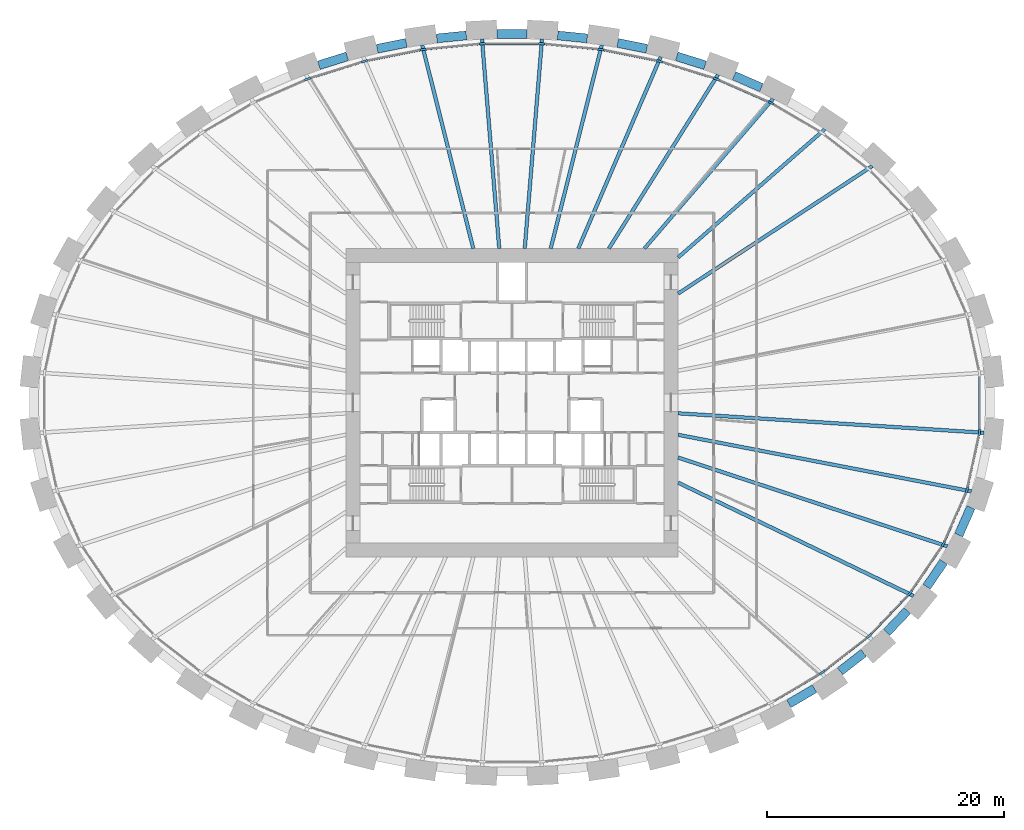
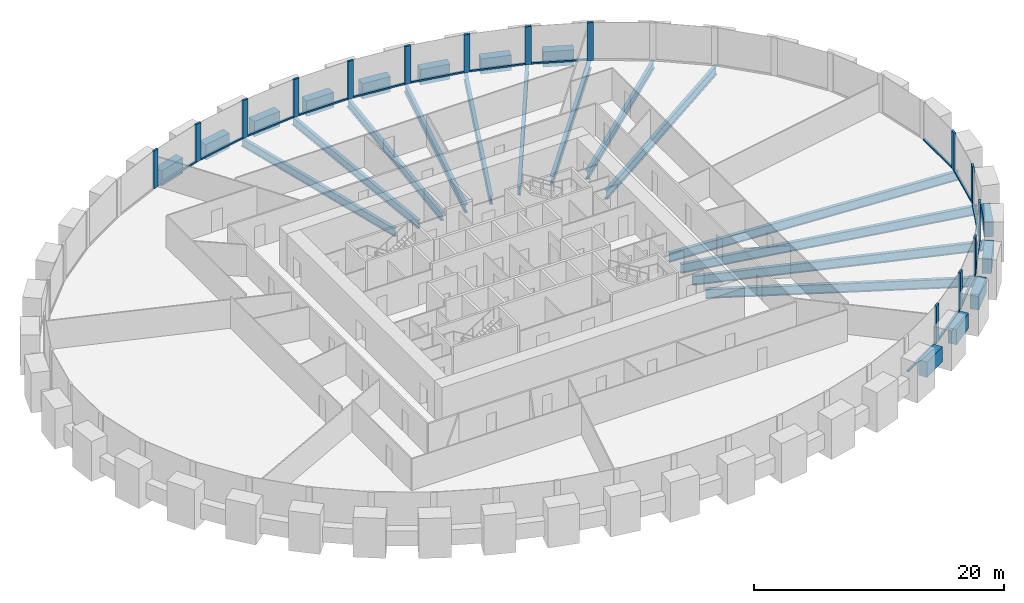
# One storey, part 3 of 11: 30 members, 26 beams, 1 element without a shape of its own.
"""IFC4 building model written with IfcOpenShell, lengths in metres."""

from ifc_helpers import new_model, si_unit, direction, frame, origin, origin_2d, place, context, subcontext, project, spatial, rectangle, i_section, extrude, source, transform, mapped, material, material_profile, profile_set, type_object, element, aggregate, save


model = new_model("IFC4")

# Units and contexts
model_context = context("Model", 3, precision=1e-05, world=origin(), true_north=direction((0.0, 1.0)))
body_context = subcontext(model_context, "Body", "Model", "MODEL_VIEW")
ifc_project = project(units=[si_unit("LENGTHUNIT", "METRE"), si_unit("AREAUNIT", "SQUARE_METRE"), si_unit("VOLUMEUNIT", "CUBIC_METRE"), si_unit("PLANEANGLEUNIT", "RADIAN"), si_unit("MASSUNIT", "GRAM", prefix="KILO")], contexts=[model_context])

# Site, building, storey
site_placement = place(None, origin())
site = spatial("IfcSite", under=ifc_project, at=site_placement, CompositionType="ELEMENT")
building_placement = place(site_placement, origin())
building = spatial("IfcBuilding", under=site, at=building_placement, Name="Embergate Tower", CompositionType="ELEMENT")
storey_placement = place(building_placement, frame((0.0, 0.0, 58.10009765625)))
storey = spatial("IfcBuildingStorey", under=building, at=storey_placement, Name="L10", CompositionType="ELEMENT", Elevation=58.10009765625)

# Beams
ifc_material_1 = material(Name="Concrete C70", Category="concrete")
ifc_material_profile_1 = material_profile(ifc_material_1, rectangle(XDim=0.75, YDim=1.5, at=origin_2d()), Name="RC 750x1500")
ifc_profile_set_1 = profile_set([ifc_material_profile_1], Name="Concrete C70")
beam_type_1 = type_object("IfcBeamType", Name="Spandrel beam RC 750x1500 C70", PredefinedType="BEAM", material=ifc_profile_set_1)
shared_shape_1 = source(origin(), body_context, "Body", "SweptSolid", [
    extrude(rectangle(XDim=0.75, YDim=1.5, at=origin_2d()), origin(), (0.0, 0.0, 1.0), 2.540771484375),
])
beam_1_placement = place(storey_placement, frame((37.64599609375, -11.14599609375, 0.0), z_axis=(0.401479097778, 0.915868185956, 0.0), x_axis=(-0.915868185956, 0.401479097778, 0.0)))
element("IfcBeam", 1, at=beam_1_placement, inside=storey, type_object=beam_type_1, Name="SPN-L10-41", PredefinedType="BEAM", context=body_context, shape_type="MappedRepresentation", body=[
    mapped(shared_shape_1, transform((0.0, 0.0, 0.0))),
])
shared_shape_2 = source(origin(), body_context, "Body", "SweptSolid", [
    extrude(rectangle(XDim=0.75, YDim=1.5, at=origin_2d()), origin(), (0.0, 0.0, 1.0), 2.5302734375),
])
beam_2_placement = place(storey_placement, frame((34.947021484375, -15.5029296875, 0.0), z_axis=(0.562447254988, 0.82683316658, 0.0), x_axis=(-0.82683316658, 0.562447254988, 0.0)))
element("IfcBeam", 2, at=beam_2_placement, inside=storey, type_object=beam_type_1, Name="SPN-L10-40", PredefinedType="BEAM", context=body_context, shape_type="MappedRepresentation", body=[
    mapped(shared_shape_2, transform((0.0, 0.0, 0.0))),
])
shared_shape_3 = source(origin(), body_context, "Body", "SweptSolid", [
    extrude(rectangle(XDim=0.75, YDim=1.5, at=origin_2d()), origin(), (0.0, 0.0, 1.0), 2.525146484375),
])
beam_3_placement = place(storey_placement, frame((31.571044921875, -19.35302734375, 0.0), z_axis=(0.689836216716, 0.723965464719, 0.0), x_axis=(-0.723965464719, 0.689836216716, 0.0)))
element("IfcBeam", 3, at=beam_3_placement, inside=storey, type_object=beam_type_1, Name="SPN-L10-39", PredefinedType="BEAM", context=body_context, shape_type="MappedRepresentation", body=[
    mapped(shared_shape_3, transform((0.0, 0.0, 0.0))),
])
shared_shape_4 = source(origin(), body_context, "Body", "SweptSolid", [
    extrude(rectangle(XDim=0.75, YDim=1.5, at=origin_2d()), origin(), (0.0, 0.0, 1.0), 2.51708984375),
])
beam_4_placement = place(storey_placement, frame((27.64599609375, -22.632080078125, 0.0), z_axis=(0.788186103863, 0.615436971328, 0.0), x_axis=(-0.615436971328, 0.788186103863, 0.0)))
element("IfcBeam", 4, at=beam_4_placement, inside=storey, type_object=beam_type_1, Name="SPN-L10-38", PredefinedType="BEAM", context=body_context, shape_type="MappedRepresentation", body=[
    mapped(shared_shape_4, transform((0.0, 0.0, 0.0))),
])
shared_shape_5 = source(origin(), body_context, "Body", "SweptSolid", [
    extrude(rectangle(XDim=0.75, YDim=1.5, at=origin_2d()), origin(), (0.0, 0.0, 1.0), 2.512451171875),
])
beam_5_placement = place(storey_placement, frame((23.330078125, -25.366943359375, 0.0), z_axis=(0.862138987282, 0.506671852986, 0.0), x_axis=(-0.506671852986, 0.862138987282, 0.0)))
element("IfcBeam", 5, at=beam_5_placement, inside=storey, type_object=beam_type_1, Name="SPN-L10-37", PredefinedType="BEAM", context=body_context, shape_type="MappedRepresentation", body=[
    mapped(shared_shape_5, transform((0.0, 0.0, 0.0))),
])
shared_shape_6 = source(origin(), body_context, "Body", "SweptSolid", [
    extrude(rectangle(XDim=0.75, YDim=1.5, at=origin_2d()), origin(), (0.0, 0.0, 1.0), 2.508056640625),
])
beam_6_placement = place(storey_placement, frame((21.013916015625, 26.549072265625, 0.0), z_axis=(-0.916219880472, 0.400675842331, 0.0), x_axis=(-0.400675842331, -0.916219880472, 0.0)))
element("IfcBeam", 6, at=beam_6_placement, inside=storey, type_object=beam_type_1, Name="SPN-L10-06", PredefinedType="BEAM", context=body_context, shape_type="MappedRepresentation", body=[
    mapped(shared_shape_6, transform((0.0, 0.0, 0.0))),
])
shared_shape_7 = source(origin(), body_context, "Body", "SweptSolid", [
    extrude(rectangle(XDim=0.75, YDim=1.5, at=origin_2d()), origin(), (0.0, 0.0, 1.0), 2.505126953125),
])
for number, where, z_axis, x_axis, name in (
    (7, (16.27294921875, 28.444091796875, 0.0), (-0.95477257779, 0.297337055715, 0.0), (-0.297337055715, -0.95477257779, 0.0), "SPN-L10-07"),
    (8, (-13.881103515625, 29.18896484375, 0.0), (-0.95477257779, -0.297337055715, 0.0), (0.297337055715, -0.95477257779, 0.0), "SPN-L10-13"),
):
    element("IfcBeam", number, at=place(storey_placement, frame(where, z_axis=z_axis, x_axis=x_axis)), inside=storey, type_object=beam_type_1, Name=name, PredefinedType="BEAM", context=body_context, shape_type="MappedRepresentation", body=[
        mapped(shared_shape_7, transform((0.0, 0.0, 0.0))),
    ])
shared_shape_8 = source(origin(), body_context, "Body", "SweptSolid", [
    extrude(rectangle(XDim=0.75, YDim=1.5, at=origin_2d()), origin(), (0.0, 0.0, 1.0), 2.5029296875),
])
for number, where, z_axis, x_axis, name in (
    (9, (11.362060546875, 29.83203125, 0.0), (-0.980494293439, 0.196547552853, 0.0), (-0.196547552853, -0.980494293439, 0.0), "SPN-L10-08"),
    (10, (-8.907958984375, 30.323974609375, 0.0), (-0.980494293439, -0.196547552853, 0.0), (0.196547552853, -0.980494293439, 0.0), "SPN-L10-12"),
):
    element("IfcBeam", number, at=place(storey_placement, frame(where, z_axis=z_axis, x_axis=x_axis)), inside=storey, type_object=beam_type_1, Name=name, PredefinedType="BEAM", context=body_context, shape_type="MappedRepresentation", body=[
        mapped(shared_shape_8, transform((0.0, 0.0, 0.0))),
    ])
shared_shape_9 = source(origin(), body_context, "Body", "SweptSolid", [
    extrude(rectangle(XDim=0.75, YDim=1.5, at=origin_2d()), origin(), (0.0, 0.0, 1.0), 2.5009765625),
])
for number, where, z_axis, x_axis, name in (
    (11, (6.3369140625, 30.70703125, 0.0), (-0.995195384031, 0.097908873976, 0.0), (-0.097908873976, -0.995195384031, 0.0), "SPN-L10-09"),
    (12, (-3.847900390625, 30.951904296875, 0.0), (-0.995195384031, -0.097908873976, 0.0), (0.097908873976, -0.995195384031, 0.0), "SPN-L10-11"),
):
    element("IfcBeam", number, at=place(storey_placement, frame(where, z_axis=z_axis, x_axis=x_axis)), inside=storey, type_object=beam_type_1, Name=name, PredefinedType="BEAM", context=body_context, shape_type="MappedRepresentation", body=[
        mapped(shared_shape_9, transform((0.0, 0.0, 0.0))),
    ])
shared_shape_10 = source(origin(), body_context, "Body", "SweptSolid", [
    extrude(rectangle(XDim=0.75, YDim=1.5, at=origin_2d()), origin(), (0.0, 0.0, 1.0), 2.501953125),
])
beam_7_placement = place(storey_placement, frame((1.2509765625, 31.0791015625, 0.0), z_axis=(-1.0, 0.0, 0.0), x_axis=(0.0, -1.0, 0.0)))
element("IfcBeam", 13, at=beam_7_placement, inside=storey, type_object=beam_type_1, Name="SPN-L10-10", PredefinedType="BEAM", context=body_context, shape_type="MappedRepresentation", body=[
    mapped(shared_shape_10, transform((0.0, 0.0, 0.0))),
])
ifc_material_2 = material(Name="Steel Q355B", Category="steel")
ifc_material_profile_2 = material_profile(ifc_material_2, i_section(OverallWidth=0.300048828125, OverallDepth=0.89990234375, WebThickness=0.01611328125, FlangeThickness=0.028076171875, FilletRadius=0.028076171875, at=origin_2d()), Name="HN 900x300x16x28")
ifc_profile_set_2 = profile_set([ifc_material_profile_2], Name="Steel Q355 grade B")
beam_type_2 = type_object("IfcBeamType", Name="Radial girder HN 900x300x16x28", PredefinedType="BEAM", material=ifc_profile_set_2)
shared_shape_11 = source(origin(), body_context, "Body", "SweptSolid", [
    extrude(i_section(OverallWidth=0.300048828125, OverallDepth=0.89990234375, WebThickness=0.01611328125, FlangeThickness=0.028076171875, FilletRadius=0.028076171875, at=origin_2d()), origin(), (0.0, 0.0, 1.0), 25.8330078125),
])
beam_8_placement = place(storey_placement, frame((39.781005859375, -2.527099609375, -0.650146484375), z_axis=(-0.997987282957, 0.063414375786, 0.0), x_axis=(-0.063414375786, -0.997987282957, 0.0)))
element("IfcBeam", 14, at=beam_8_placement, inside=storey, type_object=beam_type_2, Name="GIR-L10-43", PredefinedType="BEAM", context=body_context, shape_type="MappedRepresentation", body=[
    mapped(shared_shape_11, transform((0.0, 0.0, 0.0))),
])
shared_shape_12 = source(origin(), body_context, "Body", "SweptSolid", [
    extrude(i_section(OverallWidth=0.300048828125, OverallDepth=0.89990234375, WebThickness=0.01611328125, FlangeThickness=0.028076171875, FilletRadius=0.028076171875, at=origin_2d()), origin(), (0.0, 0.0, 1.0), 25.173583984375),
])
beam_9_placement = place(storey_placement, frame((38.718017578125, -7.468994140625, -0.650146484375), z_axis=(-0.981898721565, 0.189406706822, 0.0), x_axis=(-0.189406706822, -0.981898721565, 0.0)))
element("IfcBeam", 15, at=beam_9_placement, inside=storey, type_object=beam_type_2, Name="GIR-L10-42", PredefinedType="BEAM", context=body_context, shape_type="MappedRepresentation", body=[
    mapped(shared_shape_12, transform((0.0, 0.0, 0.0))),
])
shared_shape_13 = source(origin(), body_context, "Body", "SweptSolid", [
    extrude(i_section(OverallWidth=0.300048828125, OverallDepth=0.89990234375, WebThickness=0.01611328125, FlangeThickness=0.028076171875, FilletRadius=0.028076171875, at=origin_2d()), origin(), (0.0, 0.0, 1.0), 23.889404296875),
])
beam_10_placement = place(storey_placement, frame((36.68701171875, -12.10009765625, -0.650146484375), z_axis=(-0.949672981662, 0.313243081171, 0.0), x_axis=(-0.313243081171, -0.949672981662, 0.0)))
element("IfcBeam", 16, at=beam_10_placement, inside=storey, type_object=beam_type_2, Name="GIR-L10-41", PredefinedType="BEAM", context=body_context, shape_type="MappedRepresentation", body=[
    mapped(shared_shape_13, transform((0.0, 0.0, 0.0))),
])
shared_shape_14 = source(origin(), body_context, "Body", "SweptSolid", [
    extrude(i_section(OverallWidth=0.300048828125, OverallDepth=0.89990234375, WebThickness=0.01611328125, FlangeThickness=0.028076171875, FilletRadius=0.028076171875, at=origin_2d()), origin(), (0.0, 0.0, 1.0), 22.020751953125),
])
beam_11_placement = place(storey_placement, frame((33.843994140625, -16.281005859375, -0.650146484375), z_axis=(-0.90115457104, 0.433497911291, 0.0), x_axis=(-0.433497911291, -0.90115457104, 0.0)))
element("IfcBeam", 17, at=beam_11_placement, inside=storey, type_object=beam_type_2, Name="GIR-L10-40", PredefinedType="BEAM", context=body_context, shape_type="MappedRepresentation", body=[
    mapped(shared_shape_14, transform((0.0, 0.0, 0.0))),
])
shared_shape_15 = source(origin(), body_context, "Body", "SweptSolid", [
    extrude(i_section(OverallWidth=0.300048828125, OverallDepth=0.89990234375, WebThickness=0.01611328125, FlangeThickness=0.028076171875, FilletRadius=0.028076171875, at=origin_2d()), origin(), (0.0, 0.0, 1.0), 19.56591796875),
])
beam_12_placement = place(storey_placement, frame((30.35205078125, 19.94189453125, -0.650146484375), z_axis=(-0.835746219167, -0.549115886812, 0.0), x_axis=(0.549115886812, -0.835746219167, 0.0)))
element("IfcBeam", 18, at=beam_12_placement, inside=storey, type_object=beam_type_2, Name="GIR-L10-04", PredefinedType="BEAM", context=body_context, shape_type="MappedRepresentation", body=[
    mapped(shared_shape_15, transform((0.0, 0.0, 0.0))),
])
ifc_material_profile_3 = material_profile(ifc_material_2, i_section(OverallWidth=0.300048828125, OverallDepth=0.800048828125, WebThickness=0.013916015625, FlangeThickness=0.02587890625, FilletRadius=0.028076171875, at=origin_2d()), Name="HN 800x300x14x26")
ifc_profile_set_3 = profile_set([ifc_material_profile_3], Name="Steel Q355 grade B")
beam_type_3 = type_object("IfcBeamType", Name="Radial girder HN 800x300x14x26", PredefinedType="BEAM", material=ifc_profile_set_3)
shared_shape_16 = source(origin(), body_context, "Body", "SweptSolid", [
    extrude(i_section(OverallWidth=0.300048828125, OverallDepth=0.800048828125, WebThickness=0.013916015625, FlangeThickness=0.02587890625, FilletRadius=0.028076171875, at=origin_2d()), origin(), (0.0, 0.0, 1.0), 16.424560546875),
])
beam_13_placement = place(storey_placement, frame((26.364013671875, 23.055908203125, -0.60009765625), z_axis=(-0.752772791173, -0.658280430265, 0.0), x_axis=(0.658280430265, -0.752772791173, 0.0)))
element("IfcBeam", 19, at=beam_13_placement, inside=storey, type_object=beam_type_3, Name="GIR-L10-05", PredefinedType="BEAM", context=body_context, shape_type="MappedRepresentation", body=[
    mapped(shared_shape_16, transform((0.0, 0.0, 0.0))),
])
shared_shape_17 = source(origin(), body_context, "Body", "SweptSolid", [
    extrude(i_section(OverallWidth=0.300048828125, OverallDepth=0.800048828125, WebThickness=0.013916015625, FlangeThickness=0.02587890625, FilletRadius=0.028076171875, at=origin_2d()), origin(), (0.0, 0.0, 1.0), 16.6357421875),
])
beam_14_placement = place(storey_placement, frame((22.0009765625, 25.62109375, -0.60009765625), z_axis=(-0.651477578484, -0.758667888297, 0.0), x_axis=(0.758667888297, -0.651477578484, 0.0)))
element("IfcBeam", 20, at=beam_14_placement, inside=storey, type_object=beam_type_3, Name="GIR-L10-06", PredefinedType="BEAM", context=body_context, shape_type="MappedRepresentation", body=[
    mapped(shared_shape_17, transform((0.0, 0.0, 0.0))),
])
shared_shape_18 = source(origin(), body_context, "Body", "SweptSolid", [
    extrude(i_section(OverallWidth=0.300048828125, OverallDepth=0.800048828125, WebThickness=0.013916015625, FlangeThickness=0.02587890625, FilletRadius=0.028076171875, at=origin_2d()), origin(), (0.0, 0.0, 1.0), 17.29833984375),
])
beam_15_placement = place(storey_placement, frame((17.364013671875, 27.64892578125, -0.60009765625), z_axis=(-0.53184228431, -0.84684342391, 0.0), x_axis=(0.84684342391, -0.53184228431, 0.0)))
element("IfcBeam", 21, at=beam_15_placement, inside=storey, type_object=beam_type_3, Name="GIR-L10-07", PredefinedType="BEAM", context=body_context, shape_type="MappedRepresentation", body=[
    mapped(shared_shape_18, transform((0.0, 0.0, 0.0))),
])
shared_shape_19 = source(origin(), body_context, "Body", "SweptSolid", [
    extrude(i_section(OverallWidth=0.300048828125, OverallDepth=0.800048828125, WebThickness=0.013916015625, FlangeThickness=0.02587890625, FilletRadius=0.028076171875, at=origin_2d()), origin(), (0.0, 0.0, 1.0), 17.5830078125),
])
beam_16_placement = place(storey_placement, frame((12.531005859375, 29.154052734375, -0.60009765625), z_axis=(-0.394877633305, -0.91873372351, 0.0), x_axis=(0.91873372351, -0.394877633305, 0.0)))
element("IfcBeam", 22, at=beam_16_placement, inside=storey, type_object=beam_type_3, Name="GIR-L10-08", PredefinedType="BEAM", context=body_context, shape_type="MappedRepresentation", body=[
    mapped(shared_shape_19, transform((0.0, 0.0, 0.0))),
])
shared_shape_20 = source(origin(), body_context, "Body", "SweptSolid", [
    extrude(i_section(OverallWidth=0.300048828125, OverallDepth=0.800048828125, WebThickness=0.013916015625, FlangeThickness=0.02587890625, FilletRadius=0.028076171875, at=origin_2d()), origin(), (0.0, 0.0, 1.0), 17.68115234375),
])
for number, where, z_axis, x_axis, name in (
    (23, (7.568115234375, 30.14892578125, -0.60009765625), (-0.243490697854, -0.969903232317, 0.0), (0.969903232317, -0.243490697854, 0.0), "GIR-L10-09"),
    (24, (-7.568115234375, 30.14892578125, -0.60009765625), (0.243490697854, -0.969903232317, 0.0), (0.969903232317, 0.243490697854, 0.0), "GIR-L10-12"),
):
    element("IfcBeam", number, at=place(storey_placement, frame(where, z_axis=z_axis, x_axis=x_axis)), inside=storey, type_object=beam_type_3, Name=name, PredefinedType="BEAM", context=body_context, shape_type="MappedRepresentation", body=[
        mapped(shared_shape_20, transform((0.0, 0.0, 0.0))),
    ])
shared_shape_21 = source(origin(), body_context, "Body", "SweptSolid", [
    extrude(i_section(OverallWidth=0.300048828125, OverallDepth=0.800048828125, WebThickness=0.013916015625, FlangeThickness=0.02587890625, FilletRadius=0.028076171875, at=origin_2d()), origin(), (0.0, 0.0, 1.0), 17.7041015625),
])
for number, where, z_axis, x_axis, name in (
    (25, (2.531005859375, 30.64404296875, -0.60009765625), (-0.082299081422, -0.99660767667, 0.0), (0.99660767667, -0.082299081422, 0.0), "GIR-L10-10"),
    (26, (-2.531005859375, 30.64404296875, -0.60009765625), (0.082299081422, -0.99660767667, 0.0), (0.99660767667, 0.082299081422, 0.0), "GIR-L10-11"),
):
    element("IfcBeam", number, at=place(storey_placement, frame(where, z_axis=z_axis, x_axis=x_axis)), inside=storey, type_object=beam_type_3, Name=name, PredefinedType="BEAM", context=body_context, shape_type="MappedRepresentation", body=[
        mapped(shared_shape_21, transform((0.0, 0.0, 0.0))),
    ])

# Curtain wall, members
ifc_material_3 = material(Name="Aluminium and glass", Category="aluminium")
curtain_wall_type = type_object("IfcCurtainWallType", Name="Recessed office glazing", PredefinedType="NOTDEFINED", material=ifc_material_3)
curtain_wall_placement = place(storey_placement, origin())
curtain_wall = element("IfcCurtainWall", 27, at=curtain_wall_placement, inside=storey, type_object=curtain_wall_type, Name="Recessed office glazing ring", ObjectType="RECESSED OFFICE GLAZING", PredefinedType="USERDEFINED")
ifc_material_4 = material(Name="Aluminium, thermally broken", Category="aluminium")
ifc_material_profile_4 = material_profile(ifc_material_4, rectangle(XDim=0.179931640625, YDim=0.52001953125, at=origin_2d()), Name="AL 520x180")
ifc_profile_set_4 = profile_set([ifc_material_profile_4], Name="Aluminium, thermally broken")
member_type_1 = type_object("IfcMemberType", Name="Office mullion", PredefinedType="MULLION", material=ifc_profile_set_4)
shared_shape_22 = source(origin(), body_context, "Body", "SweptSolid", [
    extrude(rectangle(XDim=0.179931640625, YDim=0.52001953125, at=origin_2d()), origin(), (0.0, 0.0, 1.0), 3.699951171875),
])
member_1_placement = place(storey_placement, frame((21.824462890625, 25.273193359375, 0.0), z_axis=(0.0, 0.0, 1.0), x_axis=(-0.454520708319, -0.890736170653, 0.0)))
member_1 = element("IfcMember", 28, at=member_1_placement, type_object=member_type_1, Name="CW mullion 7", PredefinedType="MULLION", context=body_context, shape_type="MappedRepresentation", body=[
    mapped(shared_shape_22, transform((0.0, 0.0, 0.0))),
])
member_2_placement = place(storey_placement, frame((17.22802734375, 27.282958984375, 0.0), z_axis=(0.0, 0.0, 1.0), x_axis=(-0.349510859141, -0.936932313106, 0.0)))
member_2 = element("IfcMember", 29, at=member_2_placement, type_object=member_type_1, Name="CW mullion 8", PredefinedType="MULLION", context=body_context, shape_type="MappedRepresentation", body=[
    mapped(shared_shape_22, transform((0.0, 0.0, 0.0))),
])
member_3_placement = place(storey_placement, frame((12.435302734375, 28.775634765625, 0.0), z_axis=(0.0, 0.0, 1.0), x_axis=(-0.247318645812, -0.968934201808, 0.0)))
member_3 = element("IfcMember", 30, at=member_3_placement, type_object=member_type_1, Name="CW mullion 9", PredefinedType="MULLION", context=body_context, shape_type="MappedRepresentation", body=[
    mapped(shared_shape_22, transform((0.0, 0.0, 0.0))),
])
member_4_placement = place(storey_placement, frame((7.51123046875, 29.76318359375, 0.0), z_axis=(0.0, 0.0, 1.0), x_axis=(-0.147415835341, -0.989074603602, 0.0)))
member_4 = element("IfcMember", 31, at=member_4_placement, type_object=member_type_1, Name="CW mullion 10", PredefinedType="MULLION", context=body_context, shape_type="MappedRepresentation", body=[
    mapped(shared_shape_22, transform((0.0, 0.0, 0.0))),
])
member_5_placement = place(storey_placement, frame((2.511962890625, 30.254638671875, 0.0), z_axis=(0.0, 0.0, 1.0), x_axis=(-0.048971796621, -0.998800161762, 0.0)))
member_5 = element("IfcMember", 32, at=member_5_placement, type_object=member_type_1, Name="CW mullion 11", PredefinedType="MULLION", context=body_context, shape_type="MappedRepresentation", body=[
    mapped(shared_shape_22, transform((0.0, 0.0, 0.0))),
])
member_6_placement = place(storey_placement, frame((-2.511962890625, 30.254638671875, 0.0), z_axis=(0.0, 0.0, 1.0), x_axis=(0.048971796621, -0.998800161762, 0.0)))
member_6 = element("IfcMember", 33, at=member_6_placement, type_object=member_type_1, Name="CW mullion 12", PredefinedType="MULLION", context=body_context, shape_type="MappedRepresentation", body=[
    mapped(shared_shape_22, transform((0.0, 0.0, 0.0))),
])
member_7_placement = place(storey_placement, frame((-7.51123046875, 29.76318359375, 0.0), z_axis=(0.0, 0.0, 1.0), x_axis=(0.147415835341, -0.989074603602, 0.0)))
member_7 = element("IfcMember", 34, at=member_7_placement, type_object=member_type_1, Name="CW mullion 13", PredefinedType="MULLION", context=body_context, shape_type="MappedRepresentation", body=[
    mapped(shared_shape_22, transform((0.0, 0.0, 0.0))),
])
member_8_placement = place(storey_placement, frame((-12.435302734375, 28.775634765625, 0.0), z_axis=(0.0, 0.0, 1.0), x_axis=(0.247318645812, -0.968934201808, 0.0)))
member_8 = element("IfcMember", 35, at=member_8_placement, type_object=member_type_1, Name="CW mullion 14", PredefinedType="MULLION", context=body_context, shape_type="MappedRepresentation", body=[
    mapped(shared_shape_22, transform((0.0, 0.0, 0.0))),
])
member_9_placement = place(storey_placement, frame((-17.22802734375, 27.282958984375, 0.0), z_axis=(0.0, 0.0, 1.0), x_axis=(0.349510859141, -0.936932313106, 0.0)))
member_9 = element("IfcMember", 36, at=member_9_placement, type_object=member_type_1, Name="CW mullion 15", PredefinedType="MULLION", context=body_context, shape_type="MappedRepresentation", body=[
    mapped(shared_shape_22, transform((0.0, 0.0, 0.0))),
])
member_10_placement = place(storey_placement, frame((26.14501953125, -22.73291015625, 0.0), z_axis=(0.0, 0.0, 1.0), x_axis=(-0.562229165438, 0.826981478348, 0.0)))
member_10 = element("IfcMember", 37, at=member_10_placement, type_object=member_type_1, Name="CW mullion 39", PredefinedType="MULLION", context=body_context, shape_type="MappedRepresentation", body=[
    mapped(shared_shape_22, transform((0.0, 0.0, 0.0))),
])
member_11_placement = place(storey_placement, frame((30.09130859375, -19.65283203125, 0.0), z_axis=(0.0, 0.0, 1.0), x_axis=(-0.671239471147, 0.741240563093, 0.0)))
member_11 = element("IfcMember", 38, at=member_11_placement, type_object=member_type_1, Name="CW mullion 40", PredefinedType="MULLION", context=body_context, shape_type="MappedRepresentation", body=[
    mapped(shared_shape_22, transform((0.0, 0.0, 0.0))),
])
member_12_placement = place(storey_placement, frame((33.541015625, -16.035400390625, 0.0), z_axis=(0.0, 0.0, 1.0), x_axis=(-0.777883532271, 0.628408474022, 0.0)))
member_12 = element("IfcMember", 39, at=member_12_placement, type_object=member_type_1, Name="CW mullion 41", PredefinedType="MULLION", context=body_context, shape_type="MappedRepresentation", body=[
    mapped(shared_shape_22, transform((0.0, 0.0, 0.0))),
])
member_13_placement = place(storey_placement, frame((36.3466796875, -11.909423828125, 0.0), z_axis=(0.0, 0.0, 1.0), x_axis=(-0.875010345178, 0.48410422001, 0.0)))
member_13 = element("IfcMember", 40, at=member_13_placement, type_object=member_type_1, Name="CW mullion 42", PredefinedType="MULLION", context=body_context, shape_type="MappedRepresentation", body=[
    mapped(shared_shape_22, transform((0.0, 0.0, 0.0))),
])
member_14_placement = place(storey_placement, frame((38.347412109375, -7.347900390625, 0.0), z_axis=(0.0, 0.0, 1.0), x_axis=(-0.951502093582, 0.307642269381, 0.0)))
member_14 = element("IfcMember", 41, at=member_14_placement, type_object=member_type_1, Name="CW mullion 43", PredefinedType="MULLION", context=body_context, shape_type="MappedRepresentation", body=[
    mapped(shared_shape_22, transform((0.0, 0.0, 0.0))),
])
member_15_placement = place(storey_placement, frame((39.393798828125, -2.485595703125, 0.0), z_axis=(0.0, 0.0, 1.0), x_axis=(-0.994385508811, 0.105818050756, 0.0)))
member_15 = element("IfcMember", 42, at=member_15_placement, type_object=member_type_1, Name="CW mullion 44", PredefinedType="MULLION", context=body_context, shape_type="MappedRepresentation", body=[
    mapped(shared_shape_22, transform((0.0, 0.0, 0.0))),
])
ifc_material_profile_5 = material_profile(ifc_material_4, rectangle(XDim=0.179931640625, YDim=0.14990234375, at=origin_2d()), Name="AL 150x180")
ifc_profile_set_5 = profile_set([ifc_material_profile_5], Name="Aluminium, thermally broken")
member_type_2 = type_object("IfcMemberType", Name="Office sill transom", PredefinedType="USERDEFINED", material=ifc_profile_set_5)
shared_shape_23 = source(origin(), body_context, "Body", "SweptSolid", [
    extrude(rectangle(XDim=0.179931640625, YDim=0.14990234375, at=origin_2d()), origin(), (0.0, 0.0, 1.0), 4.45361328125),
])
member_16_placement = place(storey_placement, frame((38.402099609375, -7.09375, 0.074951171875), z_axis=(0.210390045313, 0.977617526865, 0.0), x_axis=(-0.977617526865, 0.210390045313, 0.0)))
member_16 = element("IfcMember", 43, at=member_16_placement, type_object=member_type_2, Name="CW transom 43.1", ObjectType="TRANSOM", PredefinedType="USERDEFINED", context=body_context, shape_type="MappedRepresentation", body=[
    mapped(shared_shape_23, transform((0.0, 0.0, 0.0))),
])
shared_shape_24 = source(origin(), body_context, "Body", "SweptSolid", [
    extrude(rectangle(XDim=0.179931640625, YDim=0.14990234375, at=origin_2d()), origin(), (0.0, 0.0, 1.0), 4.460693359375),
])
member_17_placement = place(storey_placement, frame((36.451416015625, -11.67138671875, 0.074951171875), z_axis=(0.401613983085, 0.915809045921, 0.0), x_axis=(-0.915809045921, 0.401613983085, 0.0)))
member_17 = element("IfcMember", 44, at=member_17_placement, type_object=member_type_2, Name="CW transom 42.1", ObjectType="TRANSOM", PredefinedType="USERDEFINED", context=body_context, shape_type="MappedRepresentation", body=[
    mapped(shared_shape_24, transform((0.0, 0.0, 0.0))),
])
shared_shape_25 = source(origin(), body_context, "Body", "SweptSolid", [
    extrude(rectangle(XDim=0.179931640625, YDim=0.14990234375, at=origin_2d()), origin(), (0.0, 0.0, 1.0), 4.4697265625),
])
member_18_placement = place(storey_placement, frame((33.687255859375, -15.820556640625, 0.074951171875), z_axis=(0.562327949545, 0.826914310652, 0.0), x_axis=(-0.826914310652, 0.562327949545, 0.0)))
member_18 = element("IfcMember", 45, at=member_18_placement, type_object=member_type_2, Name="CW transom 41.1", ObjectType="TRANSOM", PredefinedType="USERDEFINED", context=body_context, shape_type="MappedRepresentation", body=[
    mapped(shared_shape_25, transform((0.0, 0.0, 0.0))),
])
shared_shape_26 = source(origin(), body_context, "Body", "SweptSolid", [
    extrude(rectangle(XDim=0.179931640625, YDim=0.14990234375, at=origin_2d()), origin(), (0.0, 0.0, 1.0), 4.478515625),
])
member_19_placement = place(storey_placement, frame((30.270751953125, -19.464599609375, 0.074951171875), z_axis=(0.690145055563, 0.723671059447, 0.0), x_axis=(-0.723671059447, 0.690145055563, 0.0)))
member_19 = element("IfcMember", 46, at=member_19_placement, type_object=member_type_2, Name="CW transom 40.1", ObjectType="TRANSOM", PredefinedType="USERDEFINED", context=body_context, shape_type="MappedRepresentation", body=[
    mapped(shared_shape_26, transform((0.0, 0.0, 0.0))),
])
shared_shape_27 = source(origin(), body_context, "Body", "SweptSolid", [
    extrude(rectangle(XDim=0.179931640625, YDim=0.14990234375, at=origin_2d()), origin(), (0.0, 0.0, 1.0), 4.486083984375),
])
member_20_placement = place(storey_placement, frame((26.35009765625, -22.572998046875, 0.074951171875), z_axis=(0.78829904423, 0.615292301972, 0.0), x_axis=(-0.615292301972, 0.78829904423, 0.0)))
member_20 = element("IfcMember", 47, at=member_20_placement, type_object=member_type_2, Name="CW transom 39.1", ObjectType="TRANSOM", PredefinedType="USERDEFINED", context=body_context, shape_type="MappedRepresentation", body=[
    mapped(shared_shape_27, transform((0.0, 0.0, 0.0))),
])
shared_shape_28 = source(origin(), body_context, "Body", "SweptSolid", [
    extrude(rectangle(XDim=0.179931640625, YDim=0.14990234375, at=origin_2d()), origin(), (0.0, 0.0, 1.0), 4.491943359375),
])
member_21_placement = place(storey_placement, frame((22.048583984375, -25.141357421875, 0.074951171875), z_axis=(0.8620529522, 0.506818219486, 0.0), x_axis=(-0.506818219486, 0.8620529522, 0.0)))
member_21 = element("IfcMember", 48, at=member_21_placement, type_object=member_type_2, Name="CW transom 38.1", ObjectType="TRANSOM", PredefinedType="USERDEFINED", context=body_context, shape_type="MappedRepresentation", body=[
    mapped(shared_shape_28, transform((0.0, 0.0, 0.0))),
])
shared_shape_29 = source(origin(), body_context, "Body", "SweptSolid", [
    extrude(rectangle(XDim=0.179931640625, YDim=0.14990234375, at=origin_2d()), origin(), (0.0, 0.0, 1.0), 4.49658203125),
])
member_22_placement = place(storey_placement, frame((21.586181640625, 25.377197265625, 0.074951171875), z_axis=(-0.9162134002, 0.400690660354, 0.0), x_axis=(-0.400690660354, -0.9162134002, 0.0)))
member_22 = element("IfcMember", 49, at=member_22_placement, type_object=member_type_2, Name="CW transom 7.1", ObjectType="TRANSOM", PredefinedType="USERDEFINED", context=body_context, shape_type="MappedRepresentation", body=[
    mapped(shared_shape_29, transform((0.0, 0.0, 0.0))),
])
shared_shape_30 = source(origin(), body_context, "Body", "SweptSolid", [
    extrude(rectangle(XDim=0.179931640625, YDim=0.14990234375, at=origin_2d()), origin(), (0.0, 0.0, 1.0), 4.5),
])
member_23_placement = place(storey_placement, frame((16.97998046875, 27.3603515625, 0.074951171875), z_axis=(-0.954763366225, 0.297366633156, 0.0), x_axis=(-0.297366633156, -0.954763366225, 0.0)))
member_23 = element("IfcMember", 50, at=member_23_placement, type_object=member_type_2, Name="CW transom 8.1", ObjectType="TRANSOM", PredefinedType="USERDEFINED", context=body_context, shape_type="MappedRepresentation", body=[
    mapped(shared_shape_30, transform((0.0, 0.0, 0.0))),
])
member_24_placement = place(storey_placement, frame((-12.68359375, 28.698486328125, 0.074951171875), z_axis=(-0.954763366225, -0.297366633156, 0.0), x_axis=(0.297366633156, -0.954763366225, 0.0)))
member_24 = element("IfcMember", 51, at=member_24_placement, type_object=member_type_2, Name="CW transom 14.1", ObjectType="TRANSOM", PredefinedType="USERDEFINED", context=body_context, shape_type="MappedRepresentation", body=[
    mapped(shared_shape_30, transform((0.0, 0.0, 0.0))),
])
shared_shape_31 = source(origin(), body_context, "Body", "SweptSolid", [
    extrude(rectangle(XDim=0.179931640625, YDim=0.14990234375, at=origin_2d()), origin(), (0.0, 0.0, 1.0), 4.502197265625),
])
member_25_placement = place(storey_placement, frame((12.180419921875, 28.826904296875, 0.074951171875), z_axis=(-0.980478345518, 0.196627093681, 0.0), x_axis=(-0.196627093681, -0.980478345518, 0.0)))
member_25 = element("IfcMember", 52, at=member_25_placement, type_object=member_type_2, Name="CW transom 9.1", ObjectType="TRANSOM", PredefinedType="USERDEFINED", context=body_context, shape_type="MappedRepresentation", body=[
    mapped(shared_shape_31, transform((0.0, 0.0, 0.0))),
])
member_26_placement = place(storey_placement, frame((-7.76611328125, 29.712158203125, 0.074951171875), z_axis=(-0.980478345518, -0.196627093681, 0.0), x_axis=(0.196627093681, -0.980478345518, 0.0)))
member_26 = element("IfcMember", 53, at=member_26_placement, type_object=member_type_2, Name="CW transom 13.1", ObjectType="TRANSOM", PredefinedType="USERDEFINED", context=body_context, shape_type="MappedRepresentation", body=[
    mapped(shared_shape_31, transform((0.0, 0.0, 0.0))),
])
shared_shape_32 = source(origin(), body_context, "Body", "SweptSolid", [
    extrude(rectangle(XDim=0.179931640625, YDim=0.14990234375, at=origin_2d()), origin(), (0.0, 0.0, 1.0), 4.503173828125),
])
member_27_placement = place(storey_placement, frame((7.25244140625, 29.788818359375, 0.074951171875), z_axis=(-0.995205892048, 0.097802006279, 0.0), x_axis=(-0.097802006279, -0.995205892048, 0.0)))
member_27 = element("IfcMember", 54, at=member_27_placement, type_object=member_type_2, Name="CW transom 10.1", ObjectType="TRANSOM", PredefinedType="USERDEFINED", context=body_context, shape_type="MappedRepresentation", body=[
    mapped(shared_shape_32, transform((0.0, 0.0, 0.0))),
])
member_28_placement = place(storey_placement, frame((-2.770751953125, 30.229248046875, 0.074951171875), z_axis=(-0.995205892048, -0.097802006279, 0.0), x_axis=(0.097802006279, -0.995205892048, 0.0)))
member_28 = element("IfcMember", 55, at=member_28_placement, type_object=member_type_2, Name="CW transom 12.1", ObjectType="TRANSOM", PredefinedType="USERDEFINED", context=body_context, shape_type="MappedRepresentation", body=[
    mapped(shared_shape_32, transform((0.0, 0.0, 0.0))),
])
shared_shape_33 = source(origin(), body_context, "Body", "SweptSolid", [
    extrude(rectangle(XDim=0.179931640625, YDim=0.14990234375, at=origin_2d()), origin(), (0.0, 0.0, 1.0), 4.50390625),
])
member_29_placement = place(storey_placement, frame((2.251953125, 30.254638671875, 0.074951171875), z_axis=(-1.0, 0.0, 0.0), x_axis=(0.0, -1.0, 0.0)))
member_29 = element("IfcMember", 56, at=member_29_placement, type_object=member_type_2, Name="CW transom 11.1", ObjectType="TRANSOM", PredefinedType="USERDEFINED", context=body_context, shape_type="MappedRepresentation", body=[
    mapped(shared_shape_33, transform((0.0, 0.0, 0.0))),
])
shared_shape_34 = source(origin(), body_context, "Body", "SweptSolid", [
    extrude(rectangle(XDim=0.179931640625, YDim=0.14990234375, at=origin_2d()), origin(), (0.0, 0.0, 1.0), 4.451171875),
])
member_30_placement = place(storey_placement, frame((39.393798828125, -2.2255859375, 0.074951171875), z_axis=(0.0, 1.0, 0.0), x_axis=(-1.0, 0.0, 0.0)))
member_30 = element("IfcMember", 57, at=member_30_placement, type_object=member_type_2, Name="CW transom 44.1", ObjectType="TRANSOM", PredefinedType="USERDEFINED", context=body_context, shape_type="MappedRepresentation", body=[
    mapped(shared_shape_34, transform((0.0, 0.0, 0.0))),
])
aggregate(curtain_wall, [member_1, member_2, member_3, member_4, member_5, member_6, member_7, member_8, member_9, member_10, member_11, member_12, member_13, member_14, member_15, member_22, member_23, member_25, member_27, member_29, member_28, member_26, member_24, member_21, member_20, member_19, member_18, member_17, member_16, member_30])

save(model, "model.ifc")
